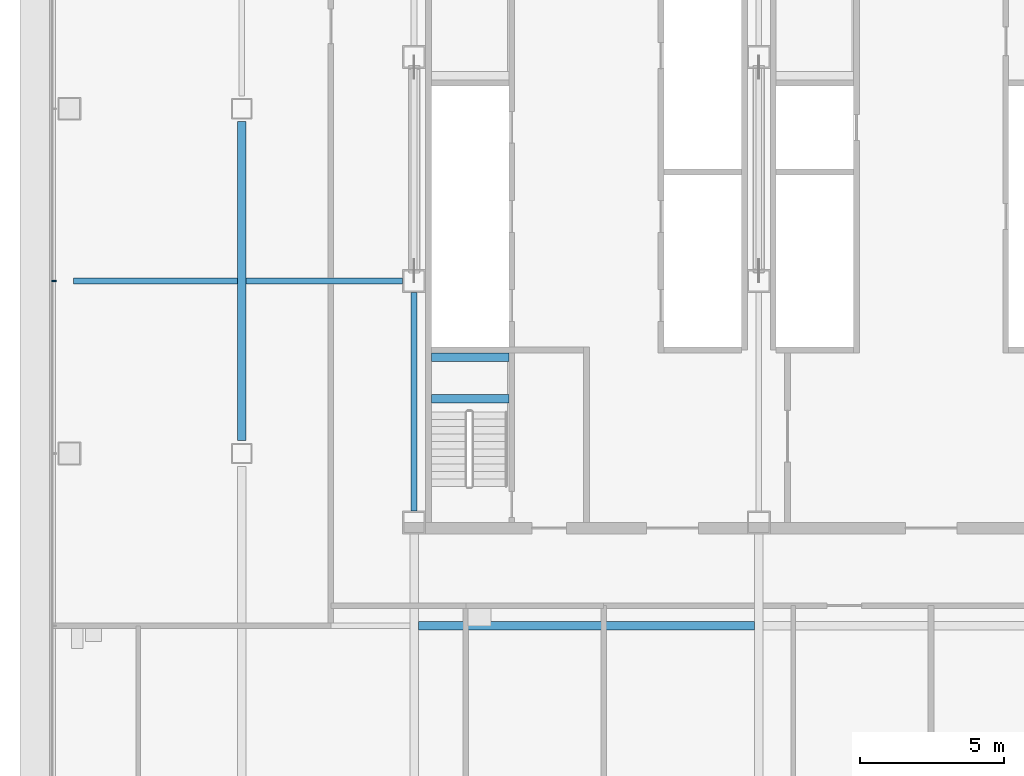
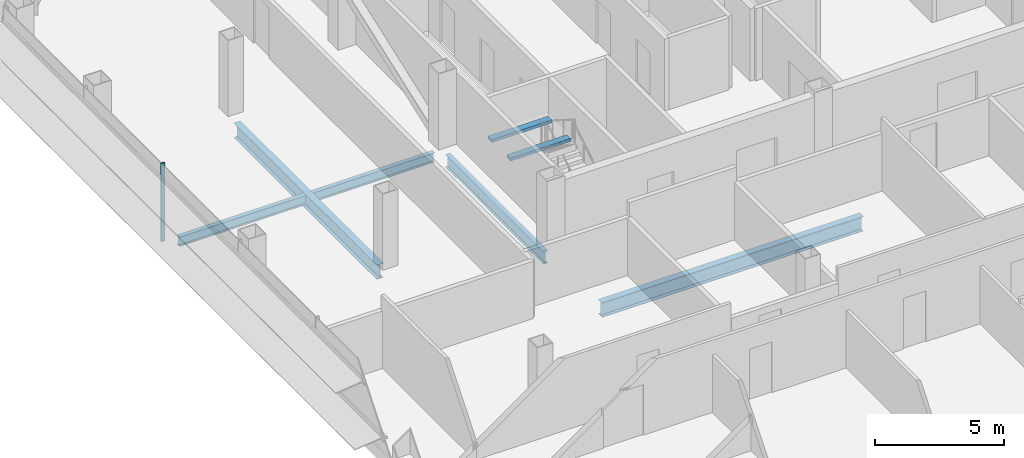
# One storey, part 6 of 28: 7 beams, 1 member, 1 element without a shape of its own.
"""IFC4 building model written with IfcOpenShell, lengths in metres."""

from ifc_helpers import new_model, si_unit, direction, frame, origin, origin_2d, place, context, subcontext, project, spatial, rectangle, i_section, extrude, material, material_profile, profile_set, type_object, element, aggregate, save


model = new_model("IFC4")

# Units and contexts
model_context = context("Model", 3, precision=1e-05, world=origin(), true_north=direction((0.0, 1.0)))
body_context = subcontext(model_context, "Body", "Model", "MODEL_VIEW")
ifc_project = project(units=[si_unit("LENGTHUNIT", "METRE"), si_unit("AREAUNIT", "SQUARE_METRE"), si_unit("VOLUMEUNIT", "CUBIC_METRE"), si_unit("PLANEANGLEUNIT", "RADIAN"), si_unit("MASSUNIT", "GRAM", prefix="KILO")], contexts=[model_context])

# Site, building, storey
site_placement = place(None, origin())
site = spatial("IfcSite", under=ifc_project, at=site_placement, CompositionType="ELEMENT")
building_placement = place(site_placement, origin())
building = spatial("IfcBuilding", under=site, at=building_placement, Name="Sorahane Residences", CompositionType="ELEMENT")
storey_placement = place(building_placement, frame((0.0, 0.0, 96.199951171875)))
storey = spatial("IfcBuildingStorey", under=building, at=storey_placement, Name="L20", CompositionType="ELEMENT", Elevation=96.199951171875)

# Curtain wall, member
ifc_material_1 = material(Name="Dark low-e glass and black anodised aluminium", Category="aluminium")
curtain_wall_type = type_object("IfcCurtainWallType", Name="Curtain wall CW-1 Typical unitised wall", PredefinedType="NOTDEFINED", material=ifc_material_1)
curtain_wall_placement = place(storey_placement, origin())
curtain_wall = element("IfcCurtainWall", 1, at=curtain_wall_placement, inside=storey, type_object=curtain_wall_type, Name="CW-1 curtain wall L20 W1", PredefinedType="NOTDEFINED")
ifc_material_2 = material(Name="Black anodised aluminium", Category="aluminium")
ifc_material_profile_1 = material_profile(ifc_material_2, rectangle(XDim=0.159912109375, YDim=0.050048828125, at=origin_2d()), Name="Curtain wall mullion CW-1 black anodised aluminium 50x160")
ifc_profile_set_1 = profile_set([ifc_material_profile_1], Name="Black anodised aluminium")
member_type = type_object("IfcMemberType", Name="Curtain wall mullion CW-1 black anodised aluminium 50x160", PredefinedType="MULLION", material=ifc_profile_set_1)
member_placement = place(storey_placement, frame((-6.5400390625, 30.0, -0.300048828125), z_axis=(0.0, 0.0, 1.0), x_axis=(-1.0, 0.0, 0.0)))
member = element("IfcMember", 2, at=member_placement, type_object=member_type, Name="CW-1 mullion L20 W1.3", PredefinedType="MULLION", context=body_context, shape_type="SweptSolid", body=[
    extrude(rectangle(XDim=0.159912109375, YDim=0.050048828125, at=origin_2d()), origin(), (0.0, 0.0, 1.0), 3.72021484375),
])
aggregate(curtain_wall, [member])

# Beams
ifc_material_3 = material(Name="Concrete C40", Category="concrete")
ifc_material_profile_2 = material_profile(ifc_material_3, rectangle(XDim=0.300048828125, YDim=0.139892578125, at=origin_2d()), Name="300x140")
ifc_profile_set_2 = profile_set([ifc_material_profile_2], Name="Concrete C40")
beam_type_1 = type_object("IfcBeamType", Name="RC landing beam 300 x 140 Concrete C40", PredefinedType="BEAM", material=ifc_profile_set_2)
for number, where, z_axis, x_axis, name in (
    (3, (6.60009765625, 25.89990234375, 1.530029296875), (1.0, 0.0, 0.0), (0.0, 1.0, 0.0), "Landing beam"),
    (4, (6.60009765625, 27.35009765625, 1.530029296875), (1.0, 0.0, 0.0), (0.0, 1.0, 0.0), "Landing beam"),
):
    element("IfcBeam", number, at=place(storey_placement, frame(where, z_axis=z_axis, x_axis=x_axis)), inside=storey, type_object=beam_type_1, Name=name, PredefinedType="BEAM", context=body_context, shape_type="SweptSolid", body=[
        extrude(rectangle(XDim=0.300048828125, YDim=0.139892578125, at=origin_2d()), origin(), (0.0, 0.0, 1.0), 2.699951171875),
    ])
ifc_material_4 = material(Name="Steel Q355B", Category="steel")
ifc_material_profile_3 = material_profile(ifc_material_4, i_section(OverallWidth=0.199951171875, OverallDepth=0.449951171875, WebThickness=0.009033203125, FlangeThickness=0.013916015625, FilletRadius=0.02001953125, at=origin_2d()), Name="HN 450x200x9x14")
ifc_profile_set_3 = profile_set([ifc_material_profile_3], Name="Steel Q355B")
beam_type_2 = type_object("IfcBeamType", Name="Steel floor beam HN 450x200x9x14 Q355B", PredefinedType="BEAM", material=ifc_profile_set_3)
beam_1_placement = place(storey_placement, frame((-5.85009765625, 30.0, -0.52490234375), z_axis=(1.0, 0.0, 0.0), x_axis=(0.0, 1.0, 0.0)))
element("IfcBeam", 5, at=beam_1_placement, inside=storey, type_object=beam_type_2, Name="Beam L20 064", PredefinedType="BEAM", context=body_context, shape_type="SweptSolid", body=[
    extrude(i_section(OverallWidth=0.199951171875, OverallDepth=0.449951171875, WebThickness=0.009033203125, FlangeThickness=0.013916015625, FilletRadius=0.02001953125, at=origin_2d()), origin(), (0.0, 0.0, 1.0), 5.7001953125),
])
beam_2_placement = place(storey_placement, frame((0.14990234375, 30.0, -0.52490234375), z_axis=(1.0, 0.0, 0.0), x_axis=(0.0, 1.0, 0.0)))
element("IfcBeam", 6, at=beam_2_placement, inside=storey, type_object=beam_type_2, Name="Beam L20 065", PredefinedType="BEAM", context=body_context, shape_type="SweptSolid", body=[
    extrude(i_section(OverallWidth=0.199951171875, OverallDepth=0.449951171875, WebThickness=0.009033203125, FlangeThickness=0.013916015625, FilletRadius=0.02001953125, at=origin_2d()), origin(), (0.0, 0.0, 1.0), 5.4501953125),
])
ifc_material_5 = material(Name="Steel Q355B", Category="steel")
ifc_material_profile_4 = material_profile(ifc_material_5, i_section(OverallWidth=0.199951171875, OverallDepth=0.60009765625, WebThickness=0.010986328125, FlangeThickness=0.01708984375, FilletRadius=0.02392578125, at=origin_2d()), Name="HN 600x200x11x17")
ifc_profile_set_4 = profile_set([ifc_material_profile_4], Name="Steel Q355B")
beam_type_3 = type_object("IfcBeamType", Name="Steel floor beam HN 600x200x11x17 Q355B", PredefinedType="BEAM", material=ifc_profile_set_4)
beam_3_placement = place(storey_placement, frame((6.0, 22.0, -0.599853515625), z_axis=(0.0, 1.0, 0.0), x_axis=(-1.0, 0.0, 0.0)))
element("IfcBeam", 7, at=beam_3_placement, inside=storey, type_object=beam_type_3, Name="Beam L20 010", PredefinedType="BEAM", context=body_context, shape_type="SweptSolid", body=[
    extrude(i_section(OverallWidth=0.199951171875, OverallDepth=0.60009765625, WebThickness=0.010986328125, FlangeThickness=0.01708984375, FilletRadius=0.02392578125, at=origin_2d()), origin(), (0.0, 0.0, 1.0), 7.60009765625),
])
ifc_material_6 = material(Name="Steel Q355B", Category="steel")
ifc_material_profile_5 = material_profile(ifc_material_6, i_section(OverallWidth=0.300048828125, OverallDepth=0.699951171875, WebThickness=0.012939453125, FlangeThickness=0.02392578125, FilletRadius=0.028076171875, at=origin_2d()), Name="HN 700x300x13x24")
ifc_profile_set_5 = profile_set([ifc_material_profile_5], Name="Steel Q355B")
beam_type_4 = type_object("IfcBeamType", Name="Steel floor beam HN 700x300x13x24 Q355B", PredefinedType="BEAM", material=ifc_profile_set_5)
beam_4_placement = place(storey_placement, frame((0.0, 24.449951171875, -0.64990234375), z_axis=(0.0, 1.0, 0.0), x_axis=(-1.0, 0.0, 0.0)))
element("IfcBeam", 8, at=beam_4_placement, inside=storey, type_object=beam_type_4, Name="Beam L20 004", PredefinedType="BEAM", context=body_context, shape_type="SweptSolid", body=[
    extrude(i_section(OverallWidth=0.300048828125, OverallDepth=0.699951171875, WebThickness=0.012939453125, FlangeThickness=0.02392578125, FilletRadius=0.028076171875, at=origin_2d()), origin(), (0.0, 0.0, 1.0), 11.10009765625),
])
beam_5_placement = place(storey_placement, frame((6.14990234375, 18.0, -0.64990234375), z_axis=(1.0, 0.0, 0.0), x_axis=(0.0, 1.0, 0.0)))
element("IfcBeam", 9, at=beam_5_placement, inside=storey, type_object=beam_type_4, Name="Beam L20 059", PredefinedType="BEAM", context=body_context, shape_type="SweptSolid", body=[
    extrude(i_section(OverallWidth=0.300048828125, OverallDepth=0.699951171875, WebThickness=0.012939453125, FlangeThickness=0.02392578125, FilletRadius=0.028076171875, at=origin_2d()), origin(), (0.0, 0.0, 1.0), 11.7001953125),
])

save(model, "model.ifc")
